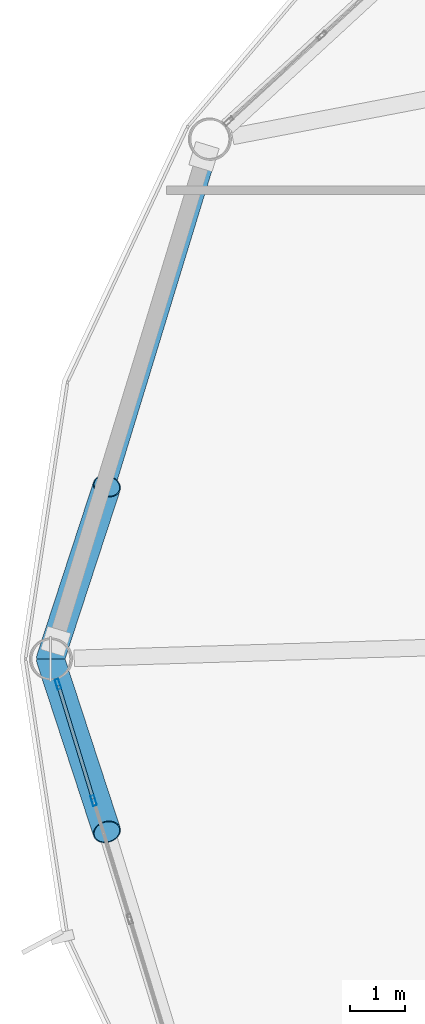
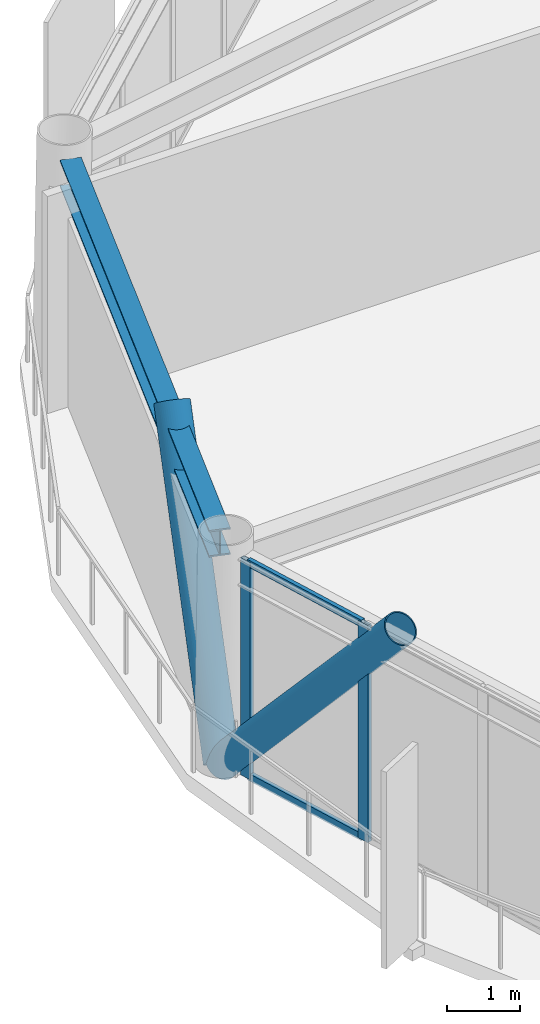
# One storey, part 10 of 25: 6 members, 1 beam, 1 element without a shape of its own.
"""IFC4 building model written with IfcOpenShell, lengths in metres."""

from ifc_helpers import new_model, si_unit, direction, frame, origin, origin_2d, place, context, subcontext, project, spatial, hollow_rectangle, hollow_circle, i_section, extrude, material, layer, layer_set, material_profile, profile_set, type_object, element, aggregate, save


model = new_model("IFC4")

# Units and contexts
model_context = context("Model", 3, precision=1e-05, world=origin(), true_north=direction((0.0, 1.0)))
body_context = subcontext(model_context, "Body", "Model", "MODEL_VIEW")
ifc_project = project(units=[si_unit("LENGTHUNIT", "METRE"), si_unit("AREAUNIT", "SQUARE_METRE"), si_unit("VOLUMEUNIT", "CUBIC_METRE"), si_unit("PLANEANGLEUNIT", "RADIAN"), si_unit("MASSUNIT", "GRAM", prefix="KILO")], contexts=[model_context])

# Site, building, storey
site_placement = place(None, origin())
site = spatial("IfcSite", under=ifc_project, at=site_placement, CompositionType="ELEMENT")
building_placement = place(site_placement, origin())
building = spatial("IfcBuilding", under=site, at=building_placement, Name="Varnakorn Sky Granary", CompositionType="ELEMENT")
storey_placement = place(building_placement, frame((0.0, 0.0, 157.800048828125)))
storey = spatial("IfcBuildingStorey", under=building, at=storey_placement, Name="L39", CompositionType="ELEMENT", Elevation=157.800048828125)

# Beam
ifc_material_1 = material(Name="Steel S355JR", Category="steel")
ifc_material_profile_1 = material_profile(ifc_material_1, i_section(OverallWidth=0.300048828125, OverallDepth=0.449951171875, WebThickness=0.013916015625, FlangeThickness=0.02587890625, at=origin_2d()), Name="HE 450 B")
ifc_profile_set_1 = profile_set([ifc_material_profile_1], Name="Steel S355JR")
beam_type = type_object("IfcBeamType", Name="BM-SPD-Z3", PredefinedType="SPANDREL", material=ifc_profile_set_1)
beam_placement = place(storey_placement, frame((-19.3154296875, 9.054931640625, 3.4150390625), z_axis=(-0.292302349769, -0.95632595715, 0.0), x_axis=(0.95632595715, -0.292302349769, 0.0)))
element("IfcBeam", 1, at=beam_placement, inside=storey, type_object=beam_type, Name="Perimeter Spandrel Ring Beam RB06 L39", PredefinedType="SPANDREL", context=body_context, shape_type="SweptSolid", body=[
    extrude(i_section(OverallWidth=0.300048828125, OverallDepth=0.449951171875, WebThickness=0.013916015625, FlangeThickness=0.02587890625, at=origin_2d()), origin(), (0.0, 0.0, 1.0), 9.102294921875),
])

# Curtain wall, members
ifc_material_2 = material(Name="Anodised Bronze Aluminium Alloy 6063-T6", Category="aluminium")
ifc_layer = layer(ifc_material_2, 0.179931640625, Name="Anodised Bronze Aluminium Alloy 6063-T6")
ifc_layer_set = layer_set([ifc_layer], Name="Anodised Bronze Aluminium Alloy 6063-T6")
curtain_wall_type = type_object("IfcCurtainWallType", Name="CW-FRM-2", PredefinedType="USERDEFINED", material=ifc_layer_set)
curtain_wall_placement = place(storey_placement, origin())
curtain_wall = element("IfcCurtainWall", 2, at=curtain_wall_placement, inside=storey, type_object=curtain_wall_type, Name="Unitised Curtain Wall CW4 CW-L39-B07", ObjectType="CURTAIN WALL", PredefinedType="USERDEFINED")
ifc_material_profile_2 = material_profile(ifc_material_2, hollow_rectangle(XDim=0.070068359375, YDim=0.18505859375, WallThickness=0.00390625, at=origin_2d()), Name="ALU MULL 70x185")
ifc_profile_set_2 = profile_set([ifc_material_profile_2], Name="Anodised Bronze Aluminium Alloy 6063-T6")
member_type_1 = type_object("IfcMemberType", Name="CW-FRM-2-MULL", PredefinedType="MULLION", material=ifc_profile_set_2)
member_1_placement = place(storey_placement, frame((-21.36474609375, -2.568115234375, 0.0), z_axis=(0.0, 0.0, 1.0), x_axis=(-0.956285487448, -0.292434721769, 0.0)))
member_1 = element("IfcMember", 3, at=member_1_placement, type_object=member_type_1, Name="CW4 mullion 4", PredefinedType="MULLION", context=body_context, shape_type="SweptSolid", body=[
    extrude(hollow_rectangle(XDim=0.070068359375, YDim=0.18505859375, WallThickness=0.00390625, at=origin_2d()), origin(), (0.0, 0.0, 1.0), 3.639892578125),
])
member_2_placement = place(storey_placement, frame((-22.0107421875, -0.455078125, 0.0), z_axis=(0.0, 0.0, 1.0), x_axis=(-0.956285487448, -0.292434721769, 0.0)))
member_2 = element("IfcMember", 4, at=member_2_placement, type_object=member_type_1, Name="CW4 mullion 5", PredefinedType="MULLION", context=body_context, shape_type="SweptSolid", body=[
    extrude(hollow_rectangle(XDim=0.070068359375, YDim=0.18505859375, WallThickness=0.00390625, at=origin_2d()), origin(), (0.0, 0.0, 1.0), 3.639892578125),
])
ifc_material_profile_3 = material_profile(ifc_material_2, hollow_rectangle(XDim=0.06494140625, YDim=0.1201171875, WallThickness=0.00341796875, at=origin_2d()), Name="ALU TRAN 65x120")
ifc_profile_set_3 = profile_set([ifc_material_profile_3], Name="Anodised Bronze Aluminium Alloy 6063-T6")
member_type_2 = type_object("IfcMemberType", Name="CW-FRM-2-TRAN", PredefinedType="USERDEFINED", material=ifc_profile_set_3)
member_3_placement = place(storey_placement, frame((-21.374755859375, -2.53466796875, 0.032470703125), z_axis=(-0.292441737886, 0.956283341872, 0.0), x_axis=(-0.956283341872, -0.292441737886, 0.0)))
member_3 = element("IfcMember", 5, at=member_3_placement, type_object=member_type_2, Name="CW4 transom 4.1", ObjectType="TRANSOM", PredefinedType="USERDEFINED", context=body_context, shape_type="SweptSolid", body=[
    extrude(hollow_rectangle(XDim=0.06494140625, YDim=0.1201171875, WallThickness=0.00341796875, at=origin_2d()), origin(), (0.0, 0.0, 1.0), 2.1396484375),
])
member_4_placement = place(storey_placement, frame((-21.374755859375, -2.53466796875, 3.607421875), z_axis=(-0.292441737886, 0.956283341872, 0.0), x_axis=(-0.956283341872, -0.292441737886, 0.0)))
member_4 = element("IfcMember", 6, at=member_4_placement, type_object=member_type_2, Name="CW4 transom 4.2", ObjectType="TRANSOM", PredefinedType="USERDEFINED", context=body_context, shape_type="SweptSolid", body=[
    extrude(hollow_rectangle(XDim=0.06494140625, YDim=0.1201171875, WallThickness=0.00341796875, at=origin_2d()), origin(), (0.0, 0.0, 1.0), 2.1396484375),
])
aggregate(curtain_wall, [member_1, member_2, member_3, member_4])

# Members
ifc_material_3 = material(Name="Steel S460M", Category="steel")
ifc_material_profile_4 = material_profile(ifc_material_3, hollow_circle(Radius=0.25390625, WallThickness=0.01806640625, at=origin_2d()), Name="CHS 508x18")
ifc_profile_set_4 = profile_set([ifc_material_profile_4], Name="Steel S460M")
member_type_3 = type_object("IfcMemberType", Name="MB-DIAG-T2", PredefinedType="BRACE", material=ifc_profile_set_4)
for number, where, z_axis, x_axis, name in (
    (7, (-22.14990234375, 0.0, 0.0), (0.20403760447, 0.623969249582, 0.754341455534), (-0.950473881484, 0.310804441115, 0.0), "Perimeter CHS Diagrid Brace DG06 L39"),
    (8, (-22.14990234375, 0.0, 0.0), (0.20403760447, -0.623969249582, 0.754341455534), (0.950473881484, 0.310804441115, 0.0), "Perimeter CHS Diagrid Brace DG07 L39"),
):
    element("IfcMember", number, at=place(storey_placement, frame(where, z_axis=z_axis, x_axis=x_axis)), inside=storey, type_object=member_type_3, Name=name, PredefinedType="BRACE", context=body_context, shape_type="SweptSolid", body=[
        extrude(hollow_circle(Radius=0.25390625, WallThickness=0.01806640625, at=origin_2d()), origin(), (0.0, 0.0, 1.0), 5.0244140625),
    ])

save(model, "model.ifc")
